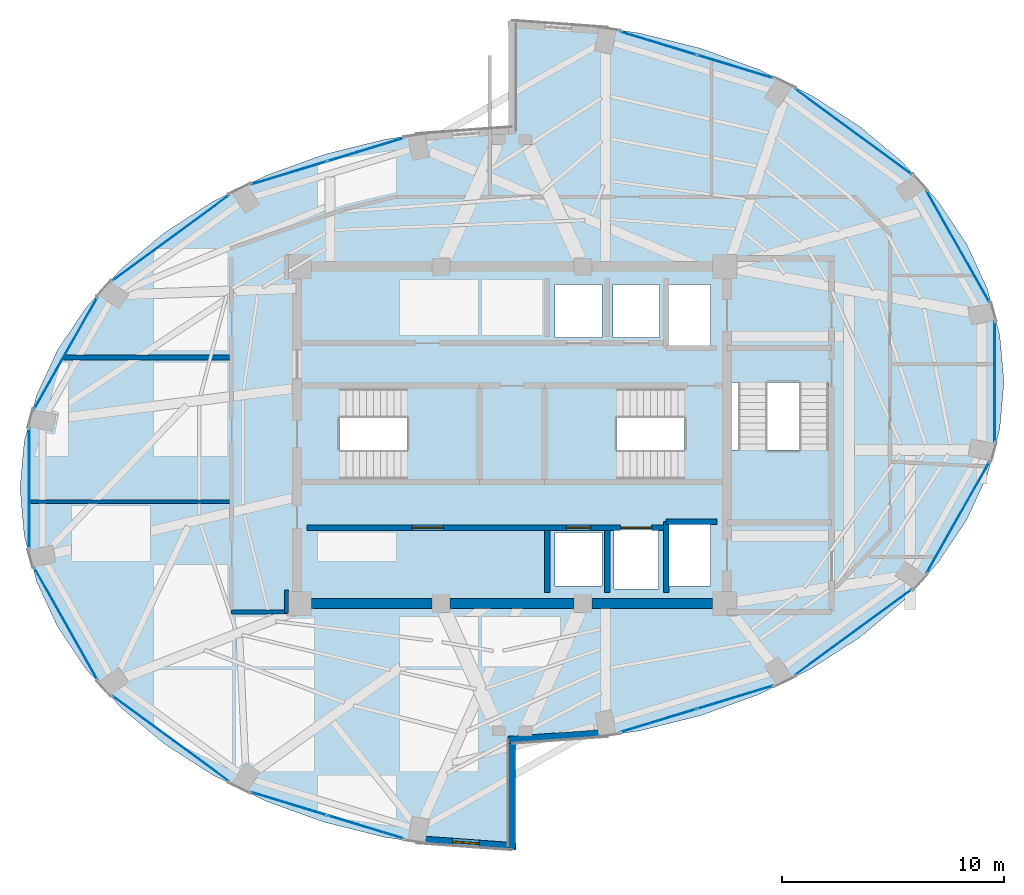
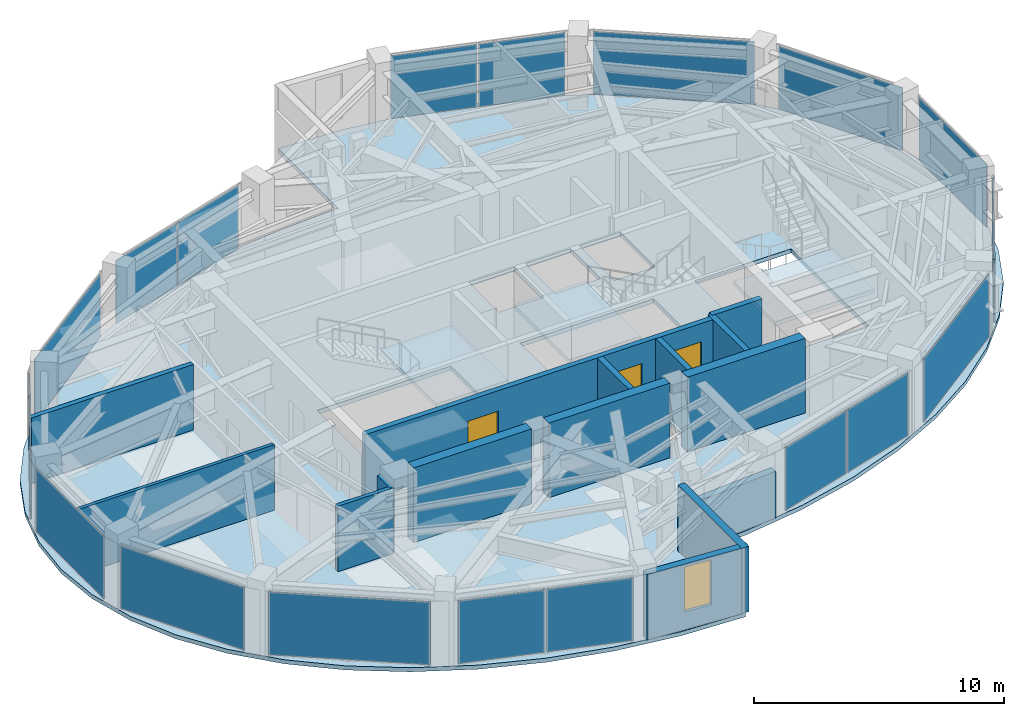
# One storey, part 19 of 23: 18 plates, 15 walls, 4 slabs, 3 doors, 1 window, 4 openings, 17 elements without a shape of their own.
"""IFC4 building model written with IfcOpenShell, lengths in metres."""

import ifcopenshell
import ifcopenshell.guid

model = None  # the IFC model being written
_history = None  # IfcOwnerHistory: only IFC2X3 demands one
_inside = {}  # id of a spatial element -> (the spatial element, [elements in it])
_under = {}  # id of a project, library or spatial element -> (it, [spatial elements below it])
_declared = {}  # id of a project -> (the project, [libraries it declares])
_typed = {}  # id of a type object -> (the type object, [elements of that type])
_made_of = {}  # id of a material, layer set ... -> (it, [elements and type objects made of it])


def new_model(schema):
    """Start an empty IFC model of exactly this schema.

    Asked for "IFC4X3", IfcOpenShell would pick the latest addendum, in which some entities
    have other attributes; the version numbers below select the first issue.
    IFC2X3 requires an IfcOwnerHistory on every rooted entity: one is made here for all.
    """
    global model, _history
    if schema == "IFC4X3":
        model = ifcopenshell.file(schema_version=(4, 3, 0, 0))
    else:
        model = ifcopenshell.file(schema=schema)
    _inside.clear()
    _under.clear()
    _declared.clear()
    _typed.clear()
    _made_of.clear()
    _history = None
    if model.schema == "IFC2X3":
        org = make("IfcOrganization", Name="unknown")
        user = make(
            "IfcPersonAndOrganization",
            ThePerson=make("IfcPerson", FamilyName="unknown"),
            TheOrganization=org,
        )
        app = make(
            "IfcApplication",
            ApplicationDeveloper=org,
            Version="unknown",
            ApplicationFullName="unknown",
            ApplicationIdentifier="unknown",
        )
        _history = make(
            "IfcOwnerHistory",
            OwningUser=user,
            OwningApplication=app,
            ChangeAction="ADDED",
            CreationDate=0,
        )
    return model


def make(cls, **values):
    """One entity of the class cls with the attributes given. An attribute that is None is left unset."""
    return model.create_entity(
        cls, **{name: value for name, value in values.items() if value is not None}
    )


def rooted(cls, **values):
    """An entity with a GlobalId (a new one), such as an element, a storey or a relation."""
    return make(cls, GlobalId=ifcopenshell.guid.new(), OwnerHistory=_history, **values)


def si_unit(unit_type, name, prefix=None):
    """IfcSIUnit, for example si_unit("LENGTHUNIT", "METRE", prefix="MILLI")."""
    return make("IfcSIUnit", UnitType=unit_type, Prefix=prefix, Name=name)


def assignment(units):
    """IfcUnitAssignment: the units of a project."""
    return None if units is None else make("IfcUnitAssignment", Units=units)


def point(xyz):
    """IfcCartesianPoint."""
    return None if xyz is None else make("IfcCartesianPoint", Coordinates=xyz)


def direction(xyz):
    """IfcDirection."""
    return None if xyz is None else make("IfcDirection", DirectionRatios=xyz)


def frame(location, z_axis=None, x_axis=None):
    """IfcAxis2Placement3D, a coordinate frame: its origin and axes. An axis left out is left unset."""
    return make(
        "IfcAxis2Placement3D",
        Location=point(location),
        Axis=direction(z_axis),
        RefDirection=direction(x_axis),
    )


def frame_2d(location, x_axis=None):
    """IfcAxis2Placement2D, a coordinate frame in the plane: its origin and x axis."""
    return make(
        "IfcAxis2Placement2D", Location=point(location), RefDirection=direction(x_axis)
    )


def origin():
    """The frame at (0, 0, 0) with its axes left unset."""
    return frame((0.0, 0.0, 0.0))


def origin_2d():
    """The frame at (0, 0) in the plane with its x axis left unset."""
    return frame_2d((0.0, 0.0))


def place(relative_to, where):
    """IfcLocalPlacement: puts the frame where relative to a parent placement (None: the world)."""
    return make(
        "IfcLocalPlacement", PlacementRelTo=relative_to, RelativePlacement=where
    )


def context(
    kind, dimensions, precision=None, world=None, true_north=None, identifier=None
):
    """IfcGeometricRepresentationContext, for example the 3D "Model" context."""
    return make(
        "IfcGeometricRepresentationContext",
        ContextIdentifier=identifier,
        ContextType=kind,
        CoordinateSpaceDimension=dimensions,
        Precision=precision,
        WorldCoordinateSystem=world,
        TrueNorth=true_north,
    )


def subcontext(parent, identifier, kind, view, scale=None):
    """IfcGeometricRepresentationSubContext, for example "Body" below "Model"."""
    return make(
        "IfcGeometricRepresentationSubContext",
        ContextIdentifier=identifier,
        ContextType=kind,
        ParentContext=parent,
        TargetScale=scale,
        TargetView=view,
    )


def project(units=None, contexts=None):
    """IfcProject with its units and contexts."""
    return rooted(
        "IfcProject",
        Name="project",
        RepresentationContexts=contexts,
        UnitsInContext=assignment(units),
    )


def spatial(cls, under=None, at=None, **own):
    """A site, building, storey or space (cls), placed at a placement, below another one or the project."""
    s = rooted(cls, ObjectPlacement=at, **own)
    if under is not None:
        _under.setdefault(under.id(), (under, []))[1].append(s)
    return s


def polyline(points):
    """IfcPolyline through the points."""
    return make("IfcPolyline", Points=[point(p) for p in points])


def profile(cls, at=None, kind="AREA", **sizes):
    """A parametric profile (cls). Its sizes go by their IFC names, for example OverallWidth=200.0."""
    return make(cls, ProfileType=kind, Position=at, **sizes)


def rectangle(**sizes):
    """IfcRectangleProfileDef."""
    return profile("IfcRectangleProfileDef", **sizes)


def outline(outer, holes=None, kind="AREA"):
    """IfcArbitraryClosedProfileDef: a profile drawn as a closed curve; with holes, ...WithVoids."""
    if holes is None:
        return make("IfcArbitraryClosedProfileDef", ProfileType=kind, OuterCurve=outer)
    return make(
        "IfcArbitraryProfileDefWithVoids",
        ProfileType=kind,
        OuterCurve=outer,
        InnerCurves=holes,
    )


def extrude(swept, where, along, depth):
    """IfcExtrudedAreaSolid: the profile swept, set in the frame where, extruded along a direction by depth."""
    return make(
        "IfcExtrudedAreaSolid",
        SweptArea=swept,
        Position=where,
        ExtrudedDirection=direction(along),
        Depth=depth,
    )


def shape(context_of_items, identifier, shape_type, items):
    """IfcShapeRepresentation: the items that make up one representation, for example the "Body"."""
    return make(
        "IfcShapeRepresentation",
        ContextOfItems=context_of_items,
        RepresentationIdentifier=identifier,
        RepresentationType=shape_type,
        Items=items,
    )


def material(Name=None, Category=None):
    """IfcMaterial."""
    return make("IfcMaterial", Name=Name, Category=Category)


def layer(
    of_material, thickness, ventilated=None, Name=None, Category=None, Priority=None
):
    """IfcMaterialLayer: one layer of a wall or slab, of a material (None: an air gap)."""
    return make(
        "IfcMaterialLayer",
        Material=of_material,
        LayerThickness=thickness,
        IsVentilated=ventilated,
        Name=Name,
        Category=Category,
        Priority=Priority,
    )


def layer_set(layers, Name=None):
    """IfcMaterialLayerSet."""
    return make("IfcMaterialLayerSet", MaterialLayers=layers, LayerSetName=Name)


def made_of(thing, what):
    """Note that an element or type object is made of a material, layer set ...; save() writes the relation."""
    if what is not None:
        _made_of.setdefault(what.id(), (what, []))[1].append(thing)
    return thing


def type_object(cls, material=None, **own):
    """A type object (cls), such as IfcWallType, which elements share."""
    return made_of(rooted(cls, **own), material)


def element(
    cls,
    number,
    at=None,
    inside=None,
    cuts=None,
    type_object=None,
    material=None,
    context=None,
    identifier="Body",
    shape_type=None,
    held_by="IfcProductDefinitionShape",
    body=None,
    shapes=None,
    **own,
):
    """One element of the class cls, such as IfcWall. Its Tag is "e" and its number.

    at: its placement. inside: the storey or other place that contains it. cuts: it is an
    opening in that element (IfcRelVoidsElement). A single representation is given by context,
    identifier, shape_type and body (its items); several are given by shapes. held_by: the class
    of the entity that holds the representations. save() writes the other relations.
    """
    e = rooted(cls, Tag="e%d" % number, ObjectPlacement=at, **own)
    if body is not None:
        shapes = [shape(context, identifier, shape_type, body)]
    if shapes is not None:
        e.Representation = make(held_by, Representations=shapes)
    if inside is not None:
        _inside.setdefault(inside.id(), (inside, []))[1].append(e)
    if cuts is not None:
        rooted(
            "IfcRelVoidsElement", RelatingBuildingElement=cuts, RelatedOpeningElement=e
        )
    if type_object is not None:
        _typed.setdefault(type_object.id(), (type_object, []))[1].append(e)
    return made_of(e, material)


def fill(opening, filler):
    """IfcRelFillsElement: the door or window that sits in an opening."""
    return rooted(
        "IfcRelFillsElement",
        RelatingOpeningElement=opening,
        RelatedBuildingElement=filler,
    )


def aggregate(whole, parts):
    """IfcRelAggregates: a whole, such as a stair, and the parts it consists of."""
    return rooted("IfcRelAggregates", RelatingObject=whole, RelatedObjects=parts)


def save(model, path):
    """Write the relations noted so far, then the file.

    IfcRelAggregates (storeys below a building ...), IfcRelContainedInSpatialStructure (elements
    in a storey), IfcRelDefinesByType, IfcRelAssociatesMaterial and IfcRelDeclares: one each for
    every whole, place, type object, material and project.
    """
    for whole, parts in _under.values():
        aggregate(whole, parts)
    for where, things in _inside.values():
        rooted(
            "IfcRelContainedInSpatialStructure",
            RelatedElements=things,
            RelatingStructure=where,
        )
    for kind, things in _typed.values():
        rooted("IfcRelDefinesByType", RelatedObjects=things, RelatingType=kind)
    for what, things in _made_of.values():
        rooted("IfcRelAssociatesMaterial", RelatedObjects=things, RelatingMaterial=what)
    for by, libraries in _declared.values():
        rooted("IfcRelDeclares", RelatingContext=by, RelatedDefinitions=libraries)
    model.write(path)


model = new_model("IFC4")

# Units and contexts
model_context = context("Model", 3, precision=1e-05, world=origin(), true_north=direction((0.0, 1.0)))
body_context = subcontext(model_context, "Body", "Model", "MODEL_VIEW")
ifc_project = project(units=[si_unit("LENGTHUNIT", "METRE"), si_unit("AREAUNIT", "SQUARE_METRE"), si_unit("VOLUMEUNIT", "CUBIC_METRE"), si_unit("PLANEANGLEUNIT", "RADIAN"), si_unit("MASSUNIT", "GRAM", prefix="KILO")], contexts=[model_context])

# Site, building, storey
site_placement = place(None, origin())
site = spatial("IfcSite", under=ifc_project, at=site_placement, CompositionType="ELEMENT")
building_placement = place(site_placement, origin())
building = spatial("IfcBuilding", under=site, at=building_placement, Name="Lazwardi Medical Tower", CompositionType="ELEMENT")
storey_placement = place(building_placement, frame((0.0, 0.0, 265.968017578125)))
storey = spatial("IfcBuildingStorey", under=building, at=storey_placement, Name="L69", CompositionType="ELEMENT", Elevation=265.968017578125)

# Curtain wall, plates
ifc_material_1 = material(Name="Anodised bronze aluminium and solar control glazing", Category="aluminium")
ifc_layer_1 = layer(ifc_material_1, 0.18994140625)
ifc_layer_set_1 = layer_set([ifc_layer_1], Name="Anodised bronze aluminium and solar control glazing")
curtain_wall_type = type_object("IfcCurtainWallType", Name="CW-SYS-04", PredefinedType="NOTDEFINED", material=ifc_layer_set_1)
curtain_wall_1_placement = place(storey_placement, origin())
curtain_wall_1 = element("IfcCurtainWall", 1, at=curtain_wall_1_placement, inside=storey, type_object=curtain_wall_type, Name="L69 Unitised bronze curtain wall CW-04", PredefinedType="NOTDEFINED")
ifc_material_2 = material(Name="Low-e bronze solar control double glazing", Category="glass")
ifc_layer_2 = layer(ifc_material_2, 0.035888671875)
ifc_layer_set_2 = layer_set([ifc_layer_2], Name="Low-e bronze solar control double glazing")
plate_type = type_object("IfcPlateType", Name="PLT-GLZ-01", PredefinedType="CURTAIN_PANEL", material=ifc_layer_set_2)
plate_1_placement = place(storey_placement, frame((42.604736328125, 15.118896484375, 0.06494140625), z_axis=(0.0, 0.0, 1.0), x_axis=(0.956850126972, 0.290581889515, 0.0)))
plate_1 = element("IfcPlate", 2, at=plate_1_placement, type_object=plate_type, Name="CW-04 panel 1.1", PredefinedType="CURTAIN_PANEL", context=body_context, shape_type="SweptSolid", body=[
    extrude(rectangle(XDim=3.554443359375, YDim=0.035888671875, at=origin_2d()), origin(), (0.0, 0.0, 1.0), 3.068115234375),
])
plate_2_placement = place(storey_placement, frame((46.068115234375, 16.170654296875, 0.06494140625), z_axis=(0.0, 0.0, 1.0), x_axis=(0.956850126972, 0.290581889515, 0.0)))
plate_2 = element("IfcPlate", 3, at=plate_2_placement, type_object=plate_type, Name="CW-04 panel 2.1", PredefinedType="CURTAIN_PANEL", context=body_context, shape_type="SweptSolid", body=[
    extrude(rectangle(XDim=3.554443359375, YDim=0.035888671875, at=origin_2d()), origin(), (0.0, 0.0, 1.0), 3.068115234375),
])
aggregate(curtain_wall_1, [plate_1, plate_2])

# Curtain wall, plate
curtain_wall_2_placement = place(storey_placement, origin())
curtain_wall_2 = element("IfcCurtainWall", 4, at=curtain_wall_2_placement, inside=storey, type_object=curtain_wall_type, Name="L69 Unitised bronze curtain wall CW-04", PredefinedType="NOTDEFINED")
plate_3_placement = place(storey_placement, frame((51.403564453125, 19.106689453125, 0.06494140625), z_axis=(0.0, 0.0, 1.0), x_axis=(0.806474971121, 0.591268230971, 0.0)))
plate_3 = element("IfcPlate", 5, at=plate_3_placement, type_object=plate_type, Name="CW-04 panel 1.1", PredefinedType="CURTAIN_PANEL", context=body_context, shape_type="SweptSolid", body=[
    extrude(rectangle(XDim=6.502685546875, YDim=0.035888671875, at=origin_2d()), origin(), (0.0, 0.0, 1.0), 3.068115234375),
])
aggregate(curtain_wall_2, [plate_3])

curtain_wall_3_placement = place(storey_placement, origin())
curtain_wall_3 = element("IfcCurtainWall", 6, at=curtain_wall_3_placement, inside=storey, type_object=curtain_wall_type, Name="L69 Unitised bronze curtain wall CW-04", PredefinedType="NOTDEFINED")
plate_4_placement = place(storey_placement, frame((56.125732421875, 24.2880859375, 0.06494140625), z_axis=(0.0, 0.0, 1.0), x_axis=(0.491900474661, 0.870651436011, 0.0)))
plate_4 = element("IfcPlate", 7, at=plate_4_placement, type_object=plate_type, Name="CW-04 panel 1.1", PredefinedType="CURTAIN_PANEL", context=body_context, shape_type="SweptSolid", body=[
    extrude(rectangle(XDim=5.755126953125, YDim=0.035888671875, at=origin_2d()), origin(), (0.0, 0.0, 1.0), 3.068115234375),
])
aggregate(curtain_wall_3, [plate_4])

curtain_wall_4_placement = place(storey_placement, origin())
curtain_wall_4 = element("IfcCurtainWall", 8, at=curtain_wall_4_placement, inside=storey, type_object=curtain_wall_type, Name="L69 Unitised bronze curtain wall CW-04", PredefinedType="NOTDEFINED")
plate_5_placement = place(storey_placement, frame((57.7841796875, 30.39990234375, 0.06494140625), z_axis=(0.0, 0.0, 1.0), x_axis=(0.0, 1.0, 0.0)))
plate_5 = element("IfcPlate", 9, at=plate_5_placement, type_object=plate_type, Name="CW-04 panel 1.1", PredefinedType="CURTAIN_PANEL", context=body_context, shape_type="SweptSolid", body=[
    extrude(rectangle(XDim=5.416015625, YDim=0.035888671875, at=origin_2d()), origin(), (0.0, 0.0, 1.0), 3.068115234375),
])
aggregate(curtain_wall_4, [plate_5])

curtain_wall_5_placement = place(storey_placement, origin())
curtain_wall_5 = element("IfcCurtainWall", 10, at=curtain_wall_5_placement, inside=storey, type_object=curtain_wall_type, Name="L69 Unitised bronze curtain wall CW-04", PredefinedType="NOTDEFINED")
plate_6_placement = place(storey_placement, frame((56.125732421875, 36.511962890625, 0.06494140625), z_axis=(0.0, 0.0, 1.0), x_axis=(-0.491900474661, 0.870651436011, 0.0)))
plate_6 = element("IfcPlate", 11, at=plate_6_placement, type_object=plate_type, Name="CW-04 panel 1.1", PredefinedType="CURTAIN_PANEL", context=body_context, shape_type="SweptSolid", body=[
    extrude(rectangle(XDim=5.755126953125, YDim=0.035888671875, at=origin_2d()), origin(), (0.0, 0.0, 1.0), 3.068115234375),
])
aggregate(curtain_wall_5, [plate_6])

curtain_wall_6_placement = place(storey_placement, origin())
curtain_wall_6 = element("IfcCurtainWall", 12, at=curtain_wall_6_placement, inside=storey, type_object=curtain_wall_type, Name="L69 Unitised bronze curtain wall CW-04", PredefinedType="NOTDEFINED")
plate_7_placement = place(storey_placement, frame((51.403564453125, 41.693359375, 0.06494140625), z_axis=(0.0, 0.0, 1.0), x_axis=(-0.806474971121, 0.591268230971, 0.0)))
plate_7 = element("IfcPlate", 13, at=plate_7_placement, type_object=plate_type, Name="CW-04 panel 1.1", PredefinedType="CURTAIN_PANEL", context=body_context, shape_type="SweptSolid", body=[
    extrude(rectangle(XDim=6.502685546875, YDim=0.035888671875, at=origin_2d()), origin(), (0.0, 0.0, 1.0), 3.068115234375),
])
aggregate(curtain_wall_6, [plate_7])

# Curtain wall, plates
curtain_wall_7_placement = place(storey_placement, origin())
curtain_wall_7 = element("IfcCurtainWall", 14, at=curtain_wall_7_placement, inside=storey, type_object=curtain_wall_type, Name="L69 Unitised bronze curtain wall CW-04", PredefinedType="NOTDEFINED")
plate_8_placement = place(storey_placement, frame((46.068115234375, 44.62939453125, 0.06494140625), z_axis=(0.0, 0.0, 1.0), x_axis=(-0.956850126972, 0.290581889515, 0.0)))
plate_8 = element("IfcPlate", 15, at=plate_8_placement, type_object=plate_type, Name="CW-04 panel 1.1", PredefinedType="CURTAIN_PANEL", context=body_context, shape_type="SweptSolid", body=[
    extrude(rectangle(XDim=3.554443359375, YDim=0.035888671875, at=origin_2d()), origin(), (0.0, 0.0, 1.0), 3.068115234375),
])
plate_9_placement = place(storey_placement, frame((42.604736328125, 45.68115234375, 0.06494140625), z_axis=(0.0, 0.0, 1.0), x_axis=(-0.956850126972, 0.290581889515, 0.0)))
plate_9 = element("IfcPlate", 16, at=plate_9_placement, type_object=plate_type, Name="CW-04 panel 2.1", PredefinedType="CURTAIN_PANEL", context=body_context, shape_type="SweptSolid", body=[
    extrude(rectangle(XDim=3.554443359375, YDim=0.035888671875, at=origin_2d()), origin(), (0.0, 0.0, 1.0), 3.068115234375),
])
aggregate(curtain_wall_7, [plate_8, plate_9])

curtain_wall_8_placement = place(storey_placement, origin())
curtain_wall_8 = element("IfcCurtainWall", 17, at=curtain_wall_8_placement, inside=storey, type_object=curtain_wall_type, Name="L69 Unitised bronze curtain wall CW-04", PredefinedType="NOTDEFINED")
plate_10_placement = place(storey_placement, frame((29.395263671875, 40.881103515625, 0.06494140625), z_axis=(0.0, 0.0, 1.0), x_axis=(-0.956850126972, -0.290581889515, 0.0)))
plate_10 = element("IfcPlate", 18, at=plate_10_placement, type_object=plate_type, Name="CW-04 panel 1.1", PredefinedType="CURTAIN_PANEL", context=body_context, shape_type="SweptSolid", body=[
    extrude(rectangle(XDim=3.554443359375, YDim=0.035888671875, at=origin_2d()), origin(), (0.0, 0.0, 1.0), 3.068115234375),
])
plate_11_placement = place(storey_placement, frame((25.931884765625, 39.829345703125, 0.06494140625), z_axis=(0.0, 0.0, 1.0), x_axis=(-0.956850126972, -0.290581889515, 0.0)))
plate_11 = element("IfcPlate", 19, at=plate_11_placement, type_object=plate_type, Name="CW-04 panel 2.1", PredefinedType="CURTAIN_PANEL", context=body_context, shape_type="SweptSolid", body=[
    extrude(rectangle(XDim=3.554443359375, YDim=0.035888671875, at=origin_2d()), origin(), (0.0, 0.0, 1.0), 3.068115234375),
])
aggregate(curtain_wall_8, [plate_10, plate_11])

# Curtain wall, plate
curtain_wall_9_placement = place(storey_placement, origin())
curtain_wall_9 = element("IfcCurtainWall", 20, at=curtain_wall_9_placement, inside=storey, type_object=curtain_wall_type, Name="L69 Unitised bronze curtain wall CW-04", PredefinedType="NOTDEFINED")
plate_12_placement = place(storey_placement, frame((20.596435546875, 36.893310546875, 0.06494140625), z_axis=(0.0, 0.0, 1.0), x_axis=(-0.806474971121, -0.591268230971, 0.0)))
plate_12 = element("IfcPlate", 21, at=plate_12_placement, type_object=plate_type, Name="CW-04 panel 1.1", PredefinedType="CURTAIN_PANEL", context=body_context, shape_type="SweptSolid", body=[
    extrude(rectangle(XDim=6.502685546875, YDim=0.035888671875, at=origin_2d()), origin(), (0.0, 0.0, 1.0), 3.068115234375),
])
aggregate(curtain_wall_9, [plate_12])

curtain_wall_10_placement = place(storey_placement, origin())
curtain_wall_10 = element("IfcCurtainWall", 22, at=curtain_wall_10_placement, inside=storey, type_object=curtain_wall_type, Name="L69 Unitised bronze curtain wall CW-04", PredefinedType="NOTDEFINED")
plate_13_placement = place(storey_placement, frame((15.874267578125, 31.7119140625, 0.06494140625), z_axis=(0.0, 0.0, 1.0), x_axis=(-0.491900474661, -0.870651436011, 0.0)))
plate_13 = element("IfcPlate", 23, at=plate_13_placement, type_object=plate_type, Name="CW-04 panel 1.1", PredefinedType="CURTAIN_PANEL", context=body_context, shape_type="SweptSolid", body=[
    extrude(rectangle(XDim=5.755126953125, YDim=0.035888671875, at=origin_2d()), origin(), (0.0, 0.0, 1.0), 3.068115234375),
])
aggregate(curtain_wall_10, [plate_13])

curtain_wall_11_placement = place(storey_placement, origin())
curtain_wall_11 = element("IfcCurtainWall", 24, at=curtain_wall_11_placement, inside=storey, type_object=curtain_wall_type, Name="L69 Unitised bronze curtain wall CW-04", PredefinedType="NOTDEFINED")
plate_14_placement = place(storey_placement, frame((14.2158203125, 25.60009765625, 0.06494140625), z_axis=(0.0, 0.0, 1.0), x_axis=(0.0, -1.0, 0.0)))
plate_14 = element("IfcPlate", 25, at=plate_14_placement, type_object=plate_type, Name="CW-04 panel 1.1", PredefinedType="CURTAIN_PANEL", context=body_context, shape_type="SweptSolid", body=[
    extrude(rectangle(XDim=5.416015625, YDim=0.035888671875, at=origin_2d()), origin(), (0.0, 0.0, 1.0), 3.068115234375),
])
aggregate(curtain_wall_11, [plate_14])

curtain_wall_12_placement = place(storey_placement, origin())
curtain_wall_12 = element("IfcCurtainWall", 26, at=curtain_wall_12_placement, inside=storey, type_object=curtain_wall_type, Name="L69 Unitised bronze curtain wall CW-04", PredefinedType="NOTDEFINED")
plate_15_placement = place(storey_placement, frame((15.874267578125, 19.488037109375, 0.06494140625), z_axis=(0.0, 0.0, 1.0), x_axis=(0.491900474661, -0.870651436011, 0.0)))
plate_15 = element("IfcPlate", 27, at=plate_15_placement, type_object=plate_type, Name="CW-04 panel 1.1", PredefinedType="CURTAIN_PANEL", context=body_context, shape_type="SweptSolid", body=[
    extrude(rectangle(XDim=5.755126953125, YDim=0.035888671875, at=origin_2d()), origin(), (0.0, 0.0, 1.0), 3.068115234375),
])
aggregate(curtain_wall_12, [plate_15])

curtain_wall_13_placement = place(storey_placement, origin())
curtain_wall_13 = element("IfcCurtainWall", 28, at=curtain_wall_13_placement, inside=storey, type_object=curtain_wall_type, Name="L69 Unitised bronze curtain wall CW-04", PredefinedType="NOTDEFINED")
plate_16_placement = place(storey_placement, frame((20.596435546875, 14.306640625, 0.06494140625), z_axis=(0.0, 0.0, 1.0), x_axis=(0.806474971121, -0.591268230971, 0.0)))
plate_16 = element("IfcPlate", 29, at=plate_16_placement, type_object=plate_type, Name="CW-04 panel 1.1", PredefinedType="CURTAIN_PANEL", context=body_context, shape_type="SweptSolid", body=[
    extrude(rectangle(XDim=6.502685546875, YDim=0.035888671875, at=origin_2d()), origin(), (0.0, 0.0, 1.0), 3.068115234375),
])
aggregate(curtain_wall_13, [plate_16])

# Curtain wall, plates
curtain_wall_14_placement = place(storey_placement, origin())
curtain_wall_14 = element("IfcCurtainWall", 30, at=curtain_wall_14_placement, inside=storey, type_object=curtain_wall_type, Name="L69 Unitised bronze curtain wall CW-04", PredefinedType="NOTDEFINED")
plate_17_placement = place(storey_placement, frame((25.931884765625, 11.37060546875, 0.06494140625), z_axis=(0.0, 0.0, 1.0), x_axis=(0.956850126972, -0.290581889515, 0.0)))
plate_17 = element("IfcPlate", 31, at=plate_17_placement, type_object=plate_type, Name="CW-04 panel 1.1", PredefinedType="CURTAIN_PANEL", context=body_context, shape_type="SweptSolid", body=[
    extrude(rectangle(XDim=3.554443359375, YDim=0.035888671875, at=origin_2d()), origin(), (0.0, 0.0, 1.0), 3.068115234375),
])
plate_18_placement = place(storey_placement, frame((29.395263671875, 10.31884765625, 0.06494140625), z_axis=(0.0, 0.0, 1.0), x_axis=(0.956850126972, -0.290581889515, 0.0)))
plate_18 = element("IfcPlate", 32, at=plate_18_placement, type_object=plate_type, Name="CW-04 panel 2.1", PredefinedType="CURTAIN_PANEL", context=body_context, shape_type="SweptSolid", body=[
    extrude(rectangle(XDim=3.554443359375, YDim=0.035888671875, at=origin_2d()), origin(), (0.0, 0.0, 1.0), 3.068115234375),
])
aggregate(curtain_wall_14, [plate_17, plate_18])

# Stair, slab
ifc_material_3 = material(Name="Concrete C45/55", Category="concrete")
stair_type = type_object("IfcStairType", Name="STR-WRD", PredefinedType="HALF_TURN_STAIR", material=ifc_material_3)
stair_1_placement = place(storey_placement, origin())
stair_1 = element("IfcStair", 33, at=stair_1_placement, inside=storey, type_object=stair_type, Name="L69 Protected Exit Stair ST1", PredefinedType="HALF_TURN_STAIR")
ifc_layer_3 = layer(ifc_material_3, 0.199951171875)
ifc_layer_set_3 = layer_set([ifc_layer_3], Name="Concrete C45/55")
slab_type_1 = type_object("IfcSlabType", Name="SLB-LND-190", PredefinedType="LANDING", material=ifc_layer_set_3)
slab_1_placement = place(storey_placement, frame((0.0, 0.0, 1.6240234375)))
slab_1 = element("IfcSlab", 34, at=slab_1_placement, type_object=slab_type_1, Name="ST1 landing 1", PredefinedType="LANDING", context=body_context, shape_type="SweptSolid", body=[
    extrude(outline(polyline([(31.27490234375, 25.840087890625), (34.580078125, 25.840087890625), (34.580078125, 30.280029296875), (31.27490234375, 30.280029296875), (31.27490234375, 25.840087890625)])), origin(), (0.0, 0.0, 1.0), 0.199951171875),
])
aggregate(stair_1, [slab_1])

stair_2_placement = place(storey_placement, origin())
stair_2 = element("IfcStair", 35, at=stair_2_placement, inside=storey, type_object=stair_type, Name="L69 Protected Exit Stair ST2", PredefinedType="HALF_TURN_STAIR")
slab_2_placement = place(storey_placement, frame((0.0, 0.0, 1.6240234375)))
slab_2 = element("IfcSlab", 36, at=slab_2_placement, type_object=slab_type_1, Name="ST2 landing 1", PredefinedType="LANDING", context=body_context, shape_type="SweptSolid", body=[
    extrude(outline(polyline([(40.72509765625, 30.280029296875), (37.419921875, 30.280029296875), (37.419921875, 25.840087890625), (40.72509765625, 25.840087890625), (40.72509765625, 30.280029296875)])), origin(), (0.0, 0.0, 1.0), 0.199951171875),
])
aggregate(stair_2, [slab_2])

stair_3_placement = place(storey_placement, origin())
stair_3 = element("IfcStair", 37, at=stair_3_placement, inside=storey, type_object=stair_type, Name="L69 Protected Exit Stair ST3", PredefinedType="HALF_TURN_STAIR")
slab_3_placement = place(storey_placement, frame((0.0, 0.0, 1.6240234375)))
slab_3 = element("IfcSlab", 38, at=slab_3_placement, type_object=slab_type_1, Name="ST3 landing 1", PredefinedType="LANDING", context=body_context, shape_type="SweptSolid", body=[
    extrude(outline(polyline([(45.860107421875, 27.324951171875), (45.860107421875, 24.02001953125), (50.4599609375, 24.02001953125), (50.4599609375, 27.324951171875), (45.860107421875, 27.324951171875)])), origin(), (0.0, 0.0, 1.0), 0.199951171875),
])
aggregate(stair_3, [slab_3])

# Slab
ifc_material_4 = material(Name="Concrete C50/60", Category="concrete")
ifc_layer_4 = layer(ifc_material_4, 0.199951171875)
ifc_layer_set_4 = layer_set([ifc_layer_4], Name="Concrete C50/60")
slab_type_2 = type_object("IfcSlabType", Name="SLB-UPP-200", PredefinedType="FLOOR", material=ifc_layer_set_4)
slab_4_placement = place(storey_placement, frame((0.0, 0.0, -0.199951171875)))
element("IfcSlab", 39, at=slab_4_placement, inside=storey, type_object=slab_type_2, Name="Structural floor slab SF-04 L69", PredefinedType="FLOOR", context=body_context, shape_type="SweptSolid", body=[
    extrude(outline(polyline([(18.3876953125, 15.67724609375), (20.30224609375, 14.07421875), (22.485595703125, 12.668212890625), (24.89990234375, 11.48388671875), (27.50439453125, 10.540771484375), (30.254150390625, 9.85546875), (33.102294921875, 9.439453125), (36.0, 9.300048828125), (36.0, 14.10009765625), (38.897705078125, 14.239501953125), (41.745849609375, 14.655517578125), (44.49560546875, 15.3408203125), (47.10009765625, 16.28369140625), (49.514404296875, 17.46826171875), (51.69775390625, 18.874267578125), (53.6123046875, 20.477294921875), (55.225830078125, 22.25), (56.510009765625, 24.162353515625), (57.443603515625, 26.18115234375), (58.010009765625, 28.2724609375), (58.199951171875, 30.39990234375), (58.010009765625, 32.527587890625), (57.443603515625, 34.618896484375), (56.510009765625, 36.6376953125), (55.225830078125, 38.550048828125), (53.6123046875, 40.32275390625), (51.69775390625, 41.92578125), (49.514404296875, 43.331787109375), (47.10009765625, 44.51611328125), (44.49560546875, 45.459228515625), (41.745849609375, 46.14453125), (38.897705078125, 46.560546875), (36.0, 46.699951171875), (36.0, 41.89990234375), (33.102294921875, 41.760498046875), (30.254150390625, 41.344482421875), (27.50439453125, 40.6591796875), (24.89990234375, 39.71630859375), (22.485595703125, 38.53173828125), (20.30224609375, 37.125732421875), (18.3876953125, 35.522705078125), (16.774169921875, 33.75), (15.489990234375, 31.837646484375), (14.556396484375, 29.81884765625), (13.989990234375, 27.7275390625), (13.800048828125, 25.60009765625), (13.989990234375, 23.472412109375), (14.556396484375, 21.381103515625), (15.489990234375, 19.3623046875), (16.774169921875, 17.449951171875), (18.3876953125, 15.67724609375)]), holes=[polyline([(28.22509765625, 26.02001953125), (28.22509765625, 30.10009765625), (34.39990234375, 30.10009765625), (34.39990234375, 26.02001953125), (28.22509765625, 26.02001953125)]), polyline([(37.60009765625, 30.10009765625), (43.77490234375, 30.10009765625), (43.77490234375, 26.02001953125), (37.60009765625, 26.02001953125), (37.60009765625, 30.10009765625)]), polyline([(50.280029296875, 30.375), (50.280029296875, 24.179931640625), (45.840087890625, 24.179931640625), (45.840087890625, 30.375), (50.280029296875, 30.375)]), polyline([(40.050048828125, 32.39990234375), (37.949951171875, 32.39990234375), (37.949951171875, 34.800048828125), (40.050048828125, 34.800048828125), (40.050048828125, 32.39990234375)]), polyline([(40.550048828125, 32.39990234375), (40.550048828125, 34.800048828125), (42.64990234375, 34.800048828125), (42.64990234375, 32.39990234375), (40.550048828125, 32.39990234375)]), polyline([(37.949951171875, 23.60009765625), (40.050048828125, 23.60009765625), (40.050048828125, 21.199951171875), (37.949951171875, 21.199951171875), (37.949951171875, 23.60009765625)]), polyline([(44.949951171875, 34.800048828125), (44.949951171875, 32.0), (43.050048828125, 32.0), (43.050048828125, 34.800048828125), (44.949951171875, 34.800048828125)]), polyline([(44.949951171875, 21.199951171875), (43.050048828125, 21.199951171875), (43.050048828125, 24.0), (44.949951171875, 24.0), (44.949951171875, 21.199951171875)]), polyline([(40.60009765625, 21.050048828125), (40.60009765625, 23.75), (42.60009765625, 23.75), (42.60009765625, 21.050048828125), (40.60009765625, 21.050048828125)])]), origin(), (0.0, 0.0, 1.0), 0.199951171875),
])

# Walls
ifc_material_5 = material(Name="Fire-rated gypsum board on steel stud", Category="steel")
ifc_layer_5 = layer(ifc_material_5, 0.179931640625)
ifc_layer_set_5 = layer_set([ifc_layer_5], Name="Fire-rated gypsum board on steel stud")
wall_type_1 = type_object("IfcWallType", Name="WL-COR-180", PredefinedType="PARTITIONING", material=ifc_layer_set_5)
wall_1_placement = place(storey_placement, frame((25.830078125, 21.010009765625, 0.0), z_axis=(0.0, 0.0, 1.0), x_axis=(0.0, -1.0, 0.0)))
element("IfcWall", 40, at=wall_1_placement, inside=storey, type_object=wall_type_1, Name="L69 Corridor partition 8", PredefinedType="PARTITIONING", context=body_context, shape_type="SweptSolid", body=[
    extrude(rectangle(XDim=1.030029296875, YDim=0.179931640625, at=frame_2d((0.51513671875, 0.0))), origin(), (0.0, 0.0, 1.0), 3.197998046875),
])
wall_2_placement = place(storey_placement, frame((25.8701171875, 20.02001953125, 0.0), z_axis=(0.0, 0.0, 1.0), x_axis=(-1.0, 0.0, 0.0)))
element("IfcWall", 41, at=wall_2_placement, inside=storey, type_object=wall_type_1, Name="L69 Corridor partition 9", PredefinedType="PARTITIONING", context=body_context, shape_type="SweptSolid", body=[
    extrude(rectangle(XDim=2.56005859375, YDim=0.179931640625, at=frame_2d((1.280029296875, 0.0))), origin(), (0.0, 0.0, 1.0), 3.197998046875),
])
ifc_material_6 = material(Name="Concrete C60/75", Category="concrete")
ifc_layer_6 = layer(ifc_material_6, 0.449951171875)
ifc_layer_set_6 = layer_set([ifc_layer_6], Name="Concrete C60/75")
wall_type_2 = type_object("IfcWallType", Name="WL-CORE-450", PredefinedType="SHEAR", material=ifc_layer_set_6)
wall_3_placement = place(storey_placement, frame((26.949951171875, 20.39990234375, 0.0), z_axis=(0.0, 0.0, 1.0), x_axis=(1.0, 0.0, 0.0)))
element("IfcWall", 42, at=wall_3_placement, inside=storey, type_object=wall_type_2, Name="Core wall CW-S4 S1 L69", PredefinedType="SHEAR", context=body_context, shape_type="SweptSolid", body=[
    extrude(rectangle(XDim=5.449951171875, YDim=0.449951171875, at=frame_2d((2.72509765625, 0.0))), origin(), (0.0, 0.0, 1.0), 3.64794921875),
])
wall_4_placement = place(storey_placement, frame((33.199951171875, 20.39990234375, 0.0), z_axis=(0.0, 0.0, 1.0), x_axis=(1.0, 0.0, 0.0)))
element("IfcWall", 43, at=wall_4_placement, inside=storey, type_object=wall_type_2, Name="Core wall CW-S4 S2 L69", PredefinedType="SHEAR", context=body_context, shape_type="SweptSolid", body=[
    extrude(rectangle(XDim=5.60009765625, YDim=0.449951171875, at=frame_2d((2.800048828125, 0.0))), origin(), (0.0, 0.0, 1.0), 3.64794921875),
])
wall_5_placement = place(storey_placement, frame((39.60009765625, 20.39990234375, 0.0), z_axis=(0.0, 0.0, 1.0), x_axis=(1.0, 0.0, 0.0)))
element("IfcWall", 44, at=wall_5_placement, inside=storey, type_object=wall_type_2, Name="Core wall CW-S4 S3 L69", PredefinedType="SHEAR", context=body_context, shape_type="SweptSolid", body=[
    extrude(rectangle(XDim=5.449951171875, YDim=0.449951171875, at=frame_2d((2.72509765625, 0.0))), origin(), (0.0, 0.0, 1.0), 3.64794921875),
])
ifc_material_7 = material(Name="Precast concrete C45/55", Category="concrete")
ifc_layer_7 = layer(ifc_material_7, 0.320068359375)
ifc_layer_set_7 = layer_set([ifc_layer_7], Name="Precast concrete C45/55")
wall_type_3 = type_object("IfcWallType", Name="WL-IWAN-320", PredefinedType="SOLIDWALL", material=ifc_layer_set_7)
wall_6_placement = place(storey_placement, frame((35.820556640625, 14.2470703125, 0.0), z_axis=(0.0, 0.0, 1.0), x_axis=(0.997409061056, 0.071938619141, 0.0)))
element("IfcWall", 45, at=wall_6_placement, inside=storey, type_object=wall_type_3, Name="L69 Iwan Portal Return Wall SE_ret", PredefinedType="SOLIDWALL", context=body_context, shape_type="SweptSolid", body=[
    extrude(rectangle(XDim=4.540771484375, YDim=0.320068359375, at=frame_2d((2.2705078125, 0.0))), origin(), (0.0, 0.0, 1.0), 2.282958984375),
])

# Wall, opening, window
wall_7_placement = place(storey_placement, frame((31.650390625, 9.773681640625, 0.0), z_axis=(0.0, 0.0, 1.0), x_axis=(0.997408782787, -0.071942477163, 0.0)))
wall_7 = element("IfcWall", 46, at=wall_7_placement, inside=storey, type_object=wall_type_3, Name="L69 Iwan Portal Return Wall SW_ret", PredefinedType="SOLIDWALL", context=body_context, shape_type="SweptSolid", body=[
    extrude(rectangle(XDim=4.54052734375, YDim=0.320068359375, at=frame_2d((2.270263671875, 0.0))), origin(), (0.0, 0.0, 1.0), 3.197998046875),
])
opening_1_placement = place(wall_7_placement, frame((1.67041015625, 0.0, 0.85009765625)))
opening_1 = element("IfcOpeningElement", 47, at=opening_1_placement, cuts=wall_7, Name="Opening WN-01", PredefinedType="OPENING", context=body_context, shape_type="SweptSolid", body=[
    extrude(rectangle(XDim=1.199951171875, YDim=2.199951171875, at=frame_2d((0.60009765625, 1.10009765625))), frame((0.0, 0.169921875, 0.0), z_axis=(0.0, -1.0, 0.0), x_axis=(1.0, 0.0, 0.0)), (0.0, 0.0, 1.0), 0.340087890625),
])
window_type = type_object("IfcWindowType", Name="WIN-IW-1200", PartitioningType="SINGLE_PANEL", PredefinedType="WINDOW", material=ifc_material_2)
window_placement = place(opening_1_placement, origin())
window = element("IfcWindow", 48, at=window_placement, inside=storey, type_object=window_type, Name="L69 Iwan Slot Window SW_ret", OverallHeight=2.199951171875, OverallWidth=1.199951171875, PartitioningType="SINGLE_PANEL", PredefinedType="WINDOW", context=body_context, shape_type="SweptSolid", body=[
    extrude(rectangle(XDim=1.199951171875, YDim=2.199951171875, at=frame_2d((0.60009765625, 1.10009765625))), frame((0.0, 0.030029296875, 0.0), z_axis=(0.0, -1.0, 0.0), x_axis=(1.0, 0.0, 0.0)), (0.0, 0.0, 1.0), 0.06005859375),
])
fill(opening_1, window)

# Wall
wall_8_placement = place(storey_placement, frame((36.0, 9.300048828125, 0.0), z_axis=(0.0, 0.0, 1.0), x_axis=(0.0, 1.0, 0.0)))
element("IfcWall", 49, at=wall_8_placement, inside=storey, type_object=wall_type_3, Name="L69 Turquoise Tilework Iwan Seam Wall S_seam", PredefinedType="SOLIDWALL", context=body_context, shape_type="SweptSolid", body=[
    extrude(rectangle(XDim=5.119873046875, YDim=0.320068359375, at=frame_2d((2.56005859375, 0.0))), origin(), (0.0, 0.0, 1.0), 3.197998046875),
])

# Wall, openings, doors
ifc_material_8 = material(Name="Autoclaved aerated concrete blockwork", Category="masonry")
ifc_layer_8 = layer(ifc_material_8, 0.25)
ifc_layer_set_8 = layer_set([ifc_layer_8], Name="Autoclaved aerated concrete blockwork")
wall_type_4 = type_object("IfcWallType", Name="WL-SHAFT-250", PredefinedType="SOLIDWALL", material=ifc_layer_set_8)
wall_9_placement = place(storey_placement, frame((26.75, 23.830078125, 0.0), z_axis=(0.0, 0.0, 1.0), x_axis=(1.0, 0.0, 0.0)))
wall_9 = element("IfcWall", 50, at=wall_9_placement, inside=storey, type_object=wall_type_4, Name="L69 South lift bank front wall", PredefinedType="SOLIDWALL", context=body_context, shape_type="SweptSolid", body=[
    extrude(rectangle(XDim=16.199951171875, YDim=0.25, at=frame_2d((8.10009765625, 0.0))), origin(), (0.0, 0.0, 1.0), 3.197998046875),
])
opening_2_placement = place(wall_9_placement, frame((4.75, 0.0, 0.0)))
opening_2 = element("IfcOpeningElement", 51, at=opening_2_placement, cuts=wall_9, Name="Opening D-L69-003", PredefinedType="OPENING", context=body_context, shape_type="SweptSolid", body=[
    extrude(rectangle(XDim=1.39990234375, YDim=2.199951171875, at=frame_2d((0.699951171875, 1.10009765625))), frame((0.0, 0.135009765625, 0.0), z_axis=(0.0, -1.0, 0.0), x_axis=(1.0, 0.0, 0.0)), (0.0, 0.0, 1.0), 0.27001953125),
])
opening_3_placement = place(wall_9_placement, frame((11.699951171875, 0.0, 0.0)))
opening_3 = element("IfcOpeningElement", 52, at=opening_3_placement, cuts=wall_9, Name="Opening LD-L69-006", PredefinedType="OPENING", context=body_context, shape_type="SweptSolid", body=[
    extrude(rectangle(XDim=1.10009765625, YDim=2.199951171875, at=frame_2d((0.550048828125, 1.10009765625))), frame((0.0, 0.135009765625, 0.0), z_axis=(0.0, -1.0, 0.0), x_axis=(1.0, 0.0, 0.0)), (0.0, 0.0, 1.0), 0.27001953125),
])
opening_4_placement = place(wall_9_placement, frame((14.14990234375, 0.0, 0.0)))
opening_4 = element("IfcOpeningElement", 53, at=opening_4_placement, cuts=wall_9, Name="Opening LD-L69-003", PredefinedType="OPENING", context=body_context, shape_type="SweptSolid", body=[
    extrude(rectangle(XDim=1.39990234375, YDim=2.300048828125, at=frame_2d((0.699951171875, 1.14990234375))), frame((0.0, 0.135009765625, 0.0), z_axis=(0.0, -1.0, 0.0), x_axis=(1.0, 0.0, 0.0)), (0.0, 0.0, 1.0), 0.27001953125),
])
ifc_material_9 = material(Name="Anti-microbial laminate hospital leaf")
door_type_1 = type_object("IfcDoorType", Name="DR-BED-1400", OperationType="NOTDEFINED", PredefinedType="DOOR", material=ifc_material_9)
door_1_placement = place(opening_2_placement, origin())
door_1 = element("IfcDoor", 54, at=door_1_placement, inside=storey, type_object=door_type_1, Name="L69 Core South Suite Door", OperationType="SINGLE_SWING_LEFT", OverallHeight=2.199951171875, OverallWidth=1.39990234375, PredefinedType="DOOR", context=body_context, shape_type="SweptSolid", body=[
    extrude(rectangle(XDim=1.39990234375, YDim=2.199951171875, at=frame_2d((0.699951171875, 1.10009765625))), frame((0.0, 0.02490234375, 0.0), z_axis=(0.0, -1.0, 0.0), x_axis=(1.0, 0.0, 0.0)), (0.0, 0.0, 1.0), 0.050048828125),
])
fill(opening_2, door_1)
ifc_material_10 = material(Name="Brushed bronze stainless steel landing door", Category="steel")
door_type_2 = type_object("IfcDoorType", Name="DR-LFT-1100", OperationType="NOTDEFINED", PredefinedType="DOOR", material=ifc_material_10)
door_2_placement = place(opening_3_placement, origin())
door_2 = element("IfcDoor", 55, at=door_2_placement, inside=storey, type_object=door_type_2, Name="L69 Lift Landing Door PL-11", OperationType="SLIDING_TO_LEFT", OverallHeight=2.199951171875, OverallWidth=1.10009765625, PredefinedType="DOOR", context=body_context, shape_type="SweptSolid", body=[
    extrude(rectangle(XDim=1.10009765625, YDim=2.199951171875, at=frame_2d((0.550048828125, 1.10009765625))), frame((0.0, 0.02490234375, 0.0), z_axis=(0.0, -1.0, 0.0), x_axis=(1.0, 0.0, 0.0)), (0.0, 0.0, 1.0), 0.050048828125),
])
fill(opening_3, door_2)
ifc_material_11 = material(Name="Brushed stainless steel bed-lift landing door", Category="steel")
door_type_3 = type_object("IfcDoorType", Name="DR-LFT-1400", OperationType="NOTDEFINED", PredefinedType="DOOR", material=ifc_material_11)
door_3_placement = place(opening_4_placement, origin())
door_3 = element("IfcDoor", 56, at=door_3_placement, inside=storey, type_object=door_type_3, Name="L69 Lift Landing Door FL-03", OperationType="SLIDING_TO_LEFT", OverallHeight=2.300048828125, OverallWidth=1.39990234375, PredefinedType="DOOR", context=body_context, shape_type="SweptSolid", body=[
    extrude(rectangle(XDim=1.39990234375, YDim=2.300048828125, at=frame_2d((0.699951171875, 1.14990234375))), frame((0.0, 0.02490234375, 0.0), z_axis=(0.0, -1.0, 0.0), x_axis=(1.0, 0.0, 0.0)), (0.0, 0.0, 1.0), 0.050048828125),
])
fill(opening_4, door_3)

# Walls
wall_10_placement = place(storey_placement, frame((42.949951171875, 20.89990234375, 0.0), z_axis=(0.0, 0.0, 1.0), x_axis=(0.0, 1.0, 0.0)))
element("IfcWall", 57, at=wall_10_placement, inside=storey, type_object=wall_type_4, Name="L69 FL-02 West shaft wall", PredefinedType="SOLIDWALL", context=body_context, shape_type="SweptSolid", body=[
    extrude(rectangle(XDim=3.2001953125, YDim=0.25, at=frame_2d((1.60009765625, 0.0))), origin(), (0.0, 0.0, 1.0), 3.197998046875),
])
wall_11_placement = place(storey_placement, frame((42.949951171875, 24.10009765625, 0.0), z_axis=(0.0, 0.0, 1.0), x_axis=(1.0, 0.0, 0.0)))
element("IfcWall", 58, at=wall_11_placement, inside=storey, type_object=wall_type_4, Name="L69 FL-02 North shaft wall", PredefinedType="SOLIDWALL", context=body_context, shape_type="SweptSolid", body=[
    extrude(rectangle(XDim=2.300048828125, YDim=0.25, at=frame_2d((1.14990234375, 0.0))), origin(), (0.0, 0.0, 1.0), 3.197998046875),
])
for number, where, z_axis, x_axis, name in (
    (59, (37.60009765625, 20.89990234375, 0.0), (0.0, 0.0, 1.0), (0.0, 1.0, 0.0), "L69 South hoistway divider"),
    (60, (40.300048828125, 20.89990234375, 0.0), (0.0, 0.0, 1.0), (0.0, 1.0, 0.0), "L69 South hoistway divider"),
):
    element("IfcWall", number, at=place(storey_placement, frame(where, z_axis=z_axis, x_axis=x_axis)), inside=storey, type_object=wall_type_4, Name=name, PredefinedType="SOLIDWALL", context=body_context, shape_type="SweptSolid", body=[
        extrude(rectangle(XDim=2.800048828125, YDim=0.25, at=frame_2d((1.39990234375, 0.0))), origin(), (0.0, 0.0, 1.0), 3.197998046875),
    ])
ifc_layer_9 = layer(ifc_material_5, 0.219970703125)
ifc_layer_set_9 = layer_set([ifc_layer_9], Name="Fire-rated gypsum board on steel stud")
wall_type_5 = type_object("IfcWallType", Name="WL-SMK-220", PredefinedType="PARTITIONING", material=ifc_layer_set_9)
wall_12_placement = place(storey_placement, frame((15.764892578125, 31.5, 0.0), z_axis=(0.0, 0.0, 1.0), x_axis=(1.0, 0.0, 0.0)))
element("IfcWall", 61, at=wall_12_placement, inside=storey, type_object=wall_type_5, Name="L69 Room partition 2", PredefinedType="PARTITIONING", context=body_context, shape_type="SweptSolid", body=[
    extrude(rectangle(XDim=7.4951171875, YDim=0.219970703125, at=frame_2d((3.74755859375, 0.0))), origin(), (0.0, 0.0, 1.0), 3.197998046875),
])
ifc_material_12 = material(Name="Acoustic gypsum board partition")
ifc_layer_10 = layer(ifc_material_12, 0.14990234375)
ifc_layer_set_10 = layer_set([ifc_layer_10], Name="Acoustic gypsum board partition")
wall_type_6 = type_object("IfcWallType", Name="WL-WRD-150", PredefinedType="PARTITIONING", material=ifc_layer_set_10)
wall_13_placement = place(storey_placement, frame((14.228271484375, 25.0, 0.0), z_axis=(0.0, 0.0, 1.0), x_axis=(1.0, 0.0, 0.0)))
element("IfcWall", 62, at=wall_13_placement, inside=storey, type_object=wall_type_6, Name="L69 Room partition 1", PredefinedType="PARTITIONING", context=body_context, shape_type="SweptSolid", body=[
    extrude(rectangle(XDim=9.03173828125, YDim=0.14990234375, at=frame_2d((4.515869140625, 0.0))), origin(), (0.0, 0.0, 1.0), 3.197998046875),
])

save(model, "model.ifc")
